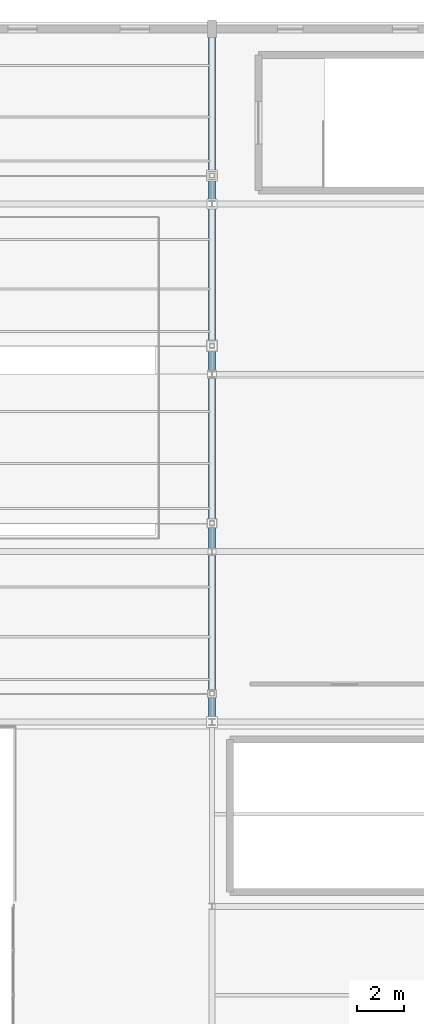
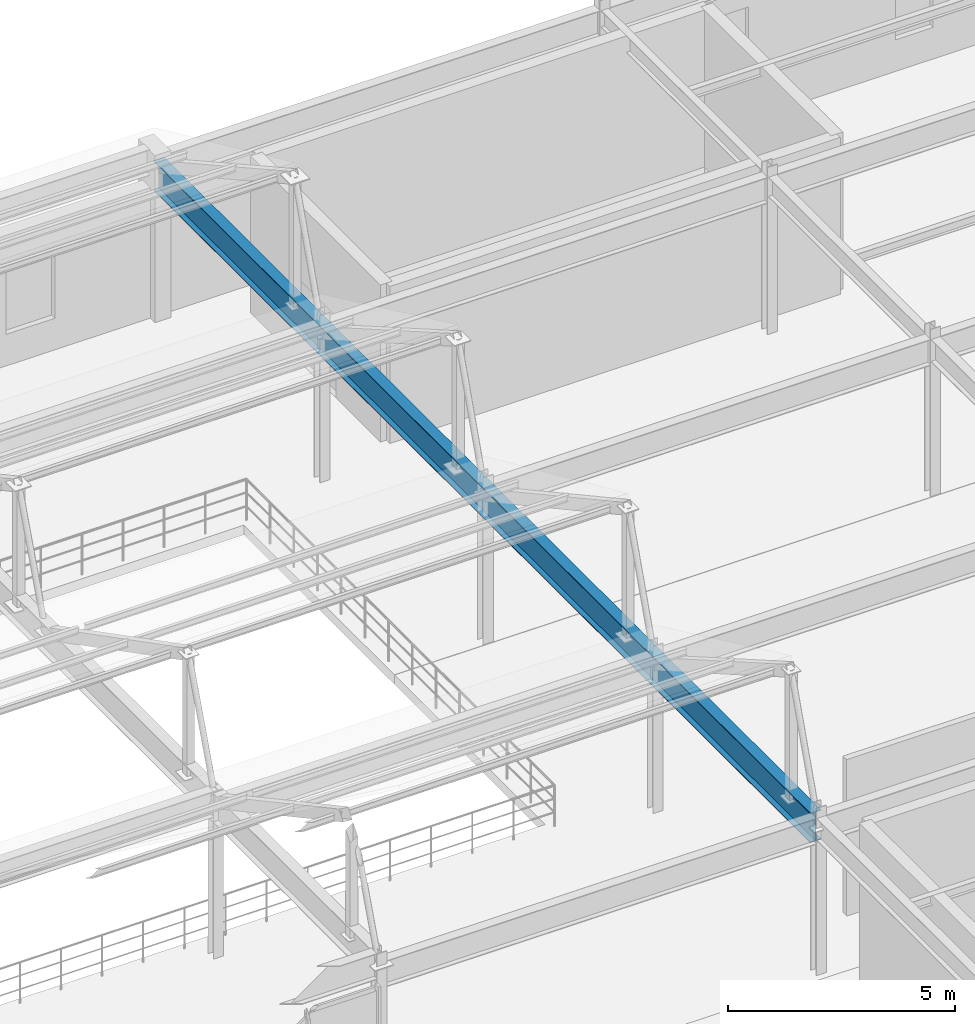
# One storey, part 68 of 112: 1 beam.
"""IFC4 building model written with IfcOpenShell, lengths in metres."""

from ifc_helpers import new_model, si_unit, direction, frame, origin, origin_2d, place, context, subcontext, project, spatial, i_section, extrude, material, material_profile, profile_set, type_object, element, save


model = new_model("IFC4")

# Units and contexts
model_context = context("Model", 3, precision=1e-05, world=origin(), true_north=direction((0.0, 1.0)))
body_context = subcontext(model_context, "Body", "Model", "MODEL_VIEW")
ifc_project = project(units=[si_unit("LENGTHUNIT", "METRE"), si_unit("AREAUNIT", "SQUARE_METRE"), si_unit("VOLUMEUNIT", "CUBIC_METRE"), si_unit("PLANEANGLEUNIT", "RADIAN"), si_unit("MASSUNIT", "GRAM", prefix="KILO")], contexts=[model_context])

# Site, building, storey
site_placement = place(None, origin())
site = spatial("IfcSite", under=ifc_project, at=site_placement, CompositionType="ELEMENT")
building_placement = place(site_placement, origin())
building = spatial("IfcBuilding", under=site, at=building_placement, Name="Cinderbank Siding Concert Hall", CompositionType="ELEMENT")
storey_placement = place(building_placement, frame((0.0, 0.0, 10.199951171875)))
storey = spatial("IfcBuildingStorey", under=building, at=storey_placement, Name="L03", CompositionType="ELEMENT", Elevation=10.199951171875)

# Beam
ifc_material = material(Name="Structural steel welded plate section AS/NZS 3679.2 / AS/NZS 3678 Grade 350 (340 MPa)", Category="steel")
ifc_material_profile = material_profile(ifc_material, i_section(OverallWidth=0.27490234375, OverallDepth=0.800048828125, WebThickness=0.010009765625, FlangeThickness=0.01611328125, at=origin_2d()), Name="800WB146", Category="LoadBearing")
ifc_profile_set = profile_set([ifc_material_profile], Name="Structural steel welded plate section AS/NZS 3679.2 / AS/NZS 3678 Grade 350 (340 MPa)")
beam_type = type_object("IfcBeamType", Name="BM-WB800 800WB146", PredefinedType="BEAM", material=ifc_profile_set)
beam_placement = place(storey_placement, frame((150.39990234375, 88.719970703125, 3.83203125), z_axis=(0.0, 1.0, 0.0), x_axis=(-1.0, 0.0, 0.0)))
element("IfcBeam", 1, at=beam_placement, inside=storey, type_object=beam_type, Name="L03 Beam BM-WB800 #25", PredefinedType="BEAM", context=body_context, shape_type="SweptSolid", body=[
    extrude(i_section(OverallWidth=0.27490234375, OverallDepth=0.800048828125, WebThickness=0.010009765625, FlangeThickness=0.01611328125, at=origin_2d()), origin(), (0.0, 0.0, 1.0), 28.988037109375),
])

save(model, "model.ifc")
